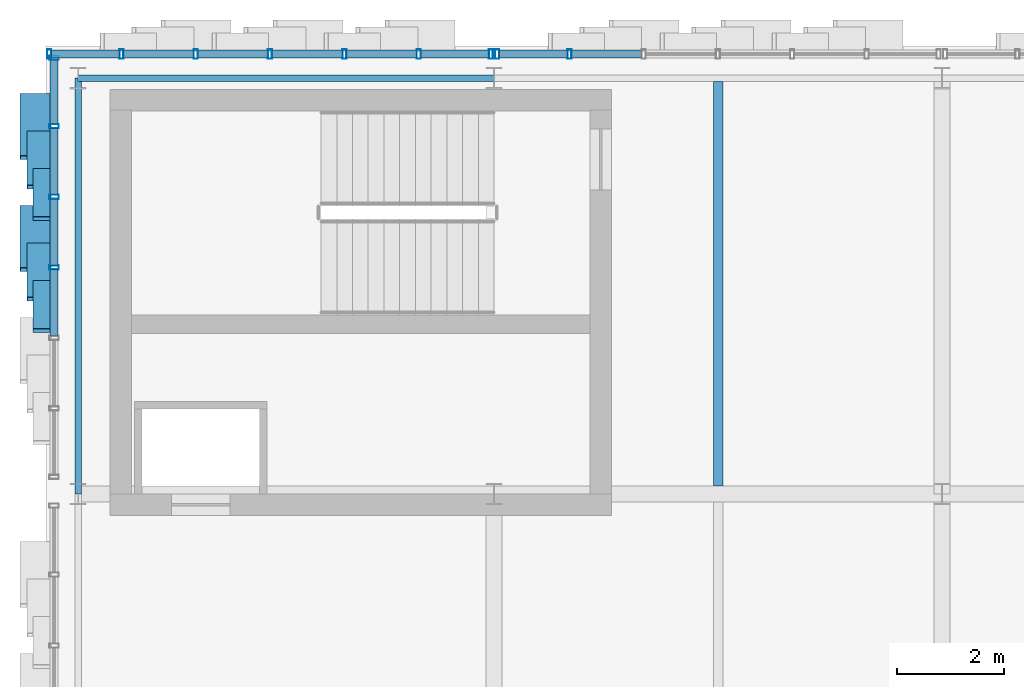
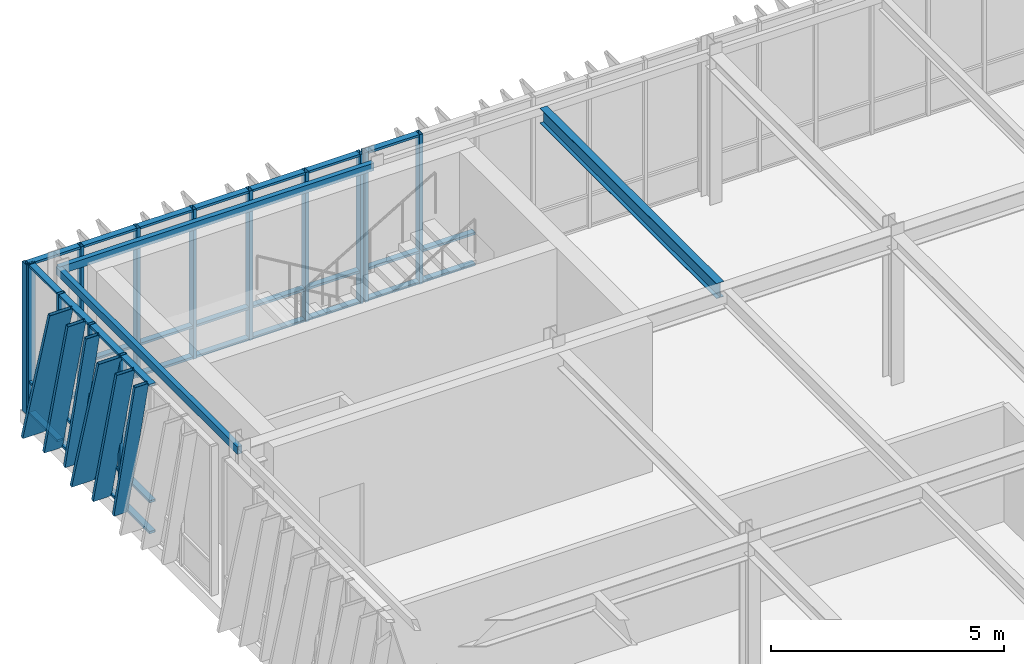
# One storey, part 44 of 127: 54 members, 3 beams, 3 elements without a shape of their own.
"""IFC4 building model written with IfcOpenShell, lengths in metres."""

from ifc_helpers import new_model, si_unit, direction, frame, origin, origin_2d, place, context, subcontext, project, spatial, hollow_rectangle, i_section, extrude, material, layer, layer_set, material_profile, profile_set, type_object, element, aggregate, save


model = new_model("IFC4")

# Units and contexts
model_context = context("Model", 3, precision=1e-05, world=origin(), true_north=direction((0.0, 1.0)))
body_context = subcontext(model_context, "Body", "Model", "MODEL_VIEW")
ifc_project = project(units=[si_unit("LENGTHUNIT", "METRE"), si_unit("AREAUNIT", "SQUARE_METRE"), si_unit("VOLUMEUNIT", "CUBIC_METRE"), si_unit("PLANEANGLEUNIT", "RADIAN"), si_unit("MASSUNIT", "GRAM", prefix="KILO")], contexts=[model_context])

# Site, building, storey
site_placement = place(None, origin())
site = spatial("IfcSite", under=ifc_project, at=site_placement, CompositionType="ELEMENT")
building_placement = place(site_placement, origin())
building = spatial("IfcBuilding", under=site, at=building_placement, Name="Zayran Congress Hotel", CompositionType="ELEMENT")
storey_placement = place(building_placement, frame((0.0, 0.0, 10.800048828125)))
storey = spatial("IfcBuildingStorey", under=building, at=storey_placement, Name="L02", CompositionType="ELEMENT", Elevation=10.800048828125)

# Beams
ifc_material_1 = material(Name="Steel S355", Category="steel")
ifc_material_profile_1 = material_profile(ifc_material_1, i_section(OverallWidth=0.179931640625, OverallDepth=0.39990234375, WebThickness=0.008544921875, FlangeThickness=0.013427734375, at=origin_2d()), Name="IPE 400")
ifc_profile_set_1 = profile_set([ifc_material_profile_1], Name="Steel S355")
beam_type_1 = type_object("IfcBeamType", Name="TP-JS-03", PredefinedType="JOIST", material=ifc_profile_set_1)
beam_1_placement = place(storey_placement, frame((21.0, 109.75, 3.719970703125), z_axis=(0.0, 1.0, 0.0), x_axis=(-1.0, 0.0, 0.0)))
element("IfcBeam", 1, at=beam_1_placement, inside=storey, type_object=beam_type_1, Name="JST-V1-L02-0764", PredefinedType="JOIST", context=body_context, shape_type="SweptSolid", body=[
    extrude(i_section(OverallWidth=0.179931640625, OverallDepth=0.39990234375, WebThickness=0.008544921875, FlangeThickness=0.013427734375, at=origin_2d()), origin(), (0.0, 0.0, 1.0), 7.590087890625),
])
ifc_material_profile_2 = material_profile(ifc_material_1, hollow_rectangle(XDim=0.1201171875, YDim=0.199951171875, WallThickness=0.008056640625, at=origin_2d()), Name="RHS 200x120x8")
ifc_profile_set_2 = profile_set([ifc_material_profile_2], Name="Steel S355")
beam_type_2 = type_object("IfcBeamType", Name="TP-SP-02", PredefinedType="SPANDREL", material=ifc_profile_set_2)
beam_2_placement = place(storey_placement, frame((9.0, 117.39990234375, 3.820068359375), z_axis=(1.0, 0.0, 0.0), x_axis=(0.0, 1.0, 0.0)))
element("IfcBeam", 2, at=beam_2_placement, inside=storey, type_object=beam_type_2, Name="BM-V1-L02-0700", PredefinedType="SPANDREL", context=body_context, shape_type="SweptSolid", body=[
    extrude(hollow_rectangle(XDim=0.1201171875, YDim=0.199951171875, WallThickness=0.008056640625, at=origin_2d()), origin(), (0.0, 0.0, 1.0), 7.800048828125),
])
beam_3_placement = place(storey_placement, frame((9.0, 109.60009765625, 3.820068359375), z_axis=(0.0, 1.0, 0.0), x_axis=(-1.0, 0.0, 0.0)))
element("IfcBeam", 3, at=beam_3_placement, inside=storey, type_object=beam_type_2, Name="BM-V1-L02-0715", PredefinedType="SPANDREL", context=body_context, shape_type="SweptSolid", body=[
    extrude(hollow_rectangle(XDim=0.1201171875, YDim=0.199951171875, WallThickness=0.008056640625, at=origin_2d()), origin(), (0.0, 0.0, 1.0), 7.7998046875),
])

# Curtain wall, members
ifc_material_2 = material(Name="Anodised aluminium and low-E insulated glass", Category="aluminium")
ifc_layer_1 = layer(ifc_material_2, 0.179931640625)
ifc_layer_set_1 = layer_set([ifc_layer_1], Name="Anodised aluminium and low-E insulated glass")
curtain_wall_type_1 = type_object("IfcCurtainWallType", Name="CW-V1N-L02-CW-21-8360-3920", PredefinedType="USERDEFINED", material=ifc_layer_set_1)
curtain_wall_1_placement = place(storey_placement, origin())
curtain_wall_1 = element("IfcCurtainWall", 4, at=curtain_wall_1_placement, inside=storey, type_object=curtain_wall_type_1, Name="CW-V1N-L02-0", ObjectType="CURTAIN WALL", PredefinedType="USERDEFINED")
ifc_material_3 = material(Name="Anodised aluminium framing", Category="aluminium")
ifc_material_profile_3 = material_profile(ifc_material_3, hollow_rectangle(XDim=0.080078125, YDim=0.179931640625, WallThickness=0.0048828125, at=origin_2d()), Name="RHS 180x80x5")
ifc_profile_set_3 = profile_set([ifc_material_profile_3], Name="Anodised aluminium framing")
member_type_1 = type_object("IfcMemberType", Name="TP-CWM-01", PredefinedType="MULLION", material=ifc_profile_set_3)
member_1_placement = place(storey_placement, frame((16.739990234375, 117.85009765625, 0.0), z_axis=(0.0, 0.0, 1.0), x_axis=(1.0, 0.0, 0.0)))
member_1 = element("IfcMember", 5, at=member_1_placement, type_object=member_type_1, Name="CW-V1N-L02-0-M00", PredefinedType="MULLION", context=body_context, shape_type="SweptSolid", body=[
    extrude(hollow_rectangle(XDim=0.080078125, YDim=0.179931640625, WallThickness=0.0048828125, at=origin_2d()), origin(), (0.0, 0.0, 1.0), 3.919921875),
])
member_2_placement = place(storey_placement, frame((15.38671875, 117.85009765625, 0.0), z_axis=(0.0, 0.0, 1.0), x_axis=(1.0, 0.0, 0.0)))
member_2 = element("IfcMember", 6, at=member_2_placement, type_object=member_type_1, Name="CW-V1N-L02-0-M01", PredefinedType="MULLION", context=body_context, shape_type="SweptSolid", body=[
    extrude(hollow_rectangle(XDim=0.080078125, YDim=0.179931640625, WallThickness=0.0048828125, at=origin_2d()), origin(), (0.0, 0.0, 1.0), 3.919921875),
])
member_3_placement = place(storey_placement, frame((13.993408203125, 117.85009765625, 0.0), z_axis=(0.0, 0.0, 1.0), x_axis=(1.0, 0.0, 0.0)))
member_3 = element("IfcMember", 7, at=member_3_placement, type_object=member_type_1, Name="CW-V1N-L02-0-M02", PredefinedType="MULLION", context=body_context, shape_type="SweptSolid", body=[
    extrude(hollow_rectangle(XDim=0.080078125, YDim=0.179931640625, WallThickness=0.0048828125, at=origin_2d()), origin(), (0.0, 0.0, 1.0), 3.919921875),
])
member_4_placement = place(storey_placement, frame((12.60009765625, 117.85009765625, 0.0), z_axis=(0.0, 0.0, 1.0), x_axis=(1.0, 0.0, 0.0)))
member_4 = element("IfcMember", 8, at=member_4_placement, type_object=member_type_1, Name="CW-V1N-L02-0-M03", PredefinedType="MULLION", context=body_context, shape_type="SweptSolid", body=[
    extrude(hollow_rectangle(XDim=0.080078125, YDim=0.179931640625, WallThickness=0.0048828125, at=origin_2d()), origin(), (0.0, 0.0, 1.0), 3.919921875),
])
member_5_placement = place(storey_placement, frame((11.206787109375, 117.85009765625, 0.0), z_axis=(0.0, 0.0, 1.0), x_axis=(1.0, 0.0, 0.0)))
member_5 = element("IfcMember", 9, at=member_5_placement, type_object=member_type_1, Name="CW-V1N-L02-0-M04", PredefinedType="MULLION", context=body_context, shape_type="SweptSolid", body=[
    extrude(hollow_rectangle(XDim=0.080078125, YDim=0.179931640625, WallThickness=0.0048828125, at=origin_2d()), origin(), (0.0, 0.0, 1.0), 3.919921875),
])
member_6_placement = place(storey_placement, frame((9.813232421875, 117.85009765625, 0.0), z_axis=(0.0, 0.0, 1.0), x_axis=(1.0, 0.0, 0.0)))
member_6 = element("IfcMember", 10, at=member_6_placement, type_object=member_type_1, Name="CW-V1N-L02-0-M05", PredefinedType="MULLION", context=body_context, shape_type="SweptSolid", body=[
    extrude(hollow_rectangle(XDim=0.080078125, YDim=0.179931640625, WallThickness=0.0048828125, at=origin_2d()), origin(), (0.0, 0.0, 1.0), 3.919921875),
])
member_7_placement = place(storey_placement, frame((8.4599609375, 117.85009765625, 0.0), z_axis=(0.0, 0.0, 1.0), x_axis=(1.0, 0.0, 0.0)))
member_7 = element("IfcMember", 11, at=member_7_placement, type_object=member_type_1, Name="CW-V1N-L02-0-M06", PredefinedType="MULLION", context=body_context, shape_type="SweptSolid", body=[
    extrude(hollow_rectangle(XDim=0.080078125, YDim=0.179931640625, WallThickness=0.0048828125, at=origin_2d()), origin(), (0.0, 0.0, 1.0), 3.919921875),
])

ifc_layer_2 = layer(ifc_material_2, 0.179931640625)
ifc_layer_set_2 = layer_set([ifc_layer_2], Name="Anodised aluminium and low-E insulated glass")
curtain_wall_type_2 = type_object("IfcCurtainWallType", Name="CW-V1N-L02-CW-22-8360-3920", PredefinedType="USERDEFINED", material=ifc_layer_set_2)
curtain_wall_2_placement = place(storey_placement, origin())
curtain_wall_2 = element("IfcCurtainWall", 12, at=curtain_wall_2_placement, inside=storey, type_object=curtain_wall_type_2, Name="CW-V1N-L02-1", ObjectType="CURTAIN WALL", PredefinedType="USERDEFINED")
member_8_placement = place(storey_placement, frame((18.21337890625, 117.85009765625, 0.0), z_axis=(0.0, 0.0, 1.0), x_axis=(1.0, 0.0, 0.0)))
member_8 = element("IfcMember", 13, at=member_8_placement, type_object=member_type_1, Name="CW-V1N-L02-1-M05", PredefinedType="MULLION", context=body_context, shape_type="SweptSolid", body=[
    extrude(hollow_rectangle(XDim=0.080078125, YDim=0.179931640625, WallThickness=0.0048828125, at=origin_2d()), origin(), (0.0, 0.0, 1.0), 3.919921875),
])
member_9_placement = place(storey_placement, frame((16.860107421875, 117.85009765625, 0.0), z_axis=(0.0, 0.0, 1.0), x_axis=(1.0, 0.0, 0.0)))
member_9 = element("IfcMember", 14, at=member_9_placement, type_object=member_type_1, Name="CW-V1N-L02-1-M06", PredefinedType="MULLION", context=body_context, shape_type="SweptSolid", body=[
    extrude(hollow_rectangle(XDim=0.080078125, YDim=0.179931640625, WallThickness=0.0048828125, at=origin_2d()), origin(), (0.0, 0.0, 1.0), 3.919921875),
])

ifc_layer_3 = layer(ifc_material_2, 0.179931640625)
ifc_layer_set_3 = layer_set([ifc_layer_3], Name="Anodised aluminium and low-E insulated glass")
curtain_wall_type_3 = type_object("IfcCurtainWallType", Name="CW-V1W-L02-CW-32-7940-3920", PredefinedType="USERDEFINED", material=ifc_layer_set_3)
curtain_wall_3_placement = place(storey_placement, origin())
curtain_wall_3 = element("IfcCurtainWall", 15, at=curtain_wall_3_placement, inside=storey, type_object=curtain_wall_type_3, Name="CW-V1W-L02-5", ObjectType="CURTAIN WALL", PredefinedType="USERDEFINED")
member_10_placement = place(storey_placement, frame((8.550048828125, 117.780029296875, 0.0), z_axis=(0.0, 0.0, 1.0), x_axis=(0.0, 1.0, 0.0)))
member_10 = element("IfcMember", 16, at=member_10_placement, type_object=member_type_1, Name="CW-V1W-L02-5-M00", PredefinedType="MULLION", context=body_context, shape_type="SweptSolid", body=[
    extrude(hollow_rectangle(XDim=0.080078125, YDim=0.179931640625, WallThickness=0.0048828125, at=origin_2d()), origin(), (0.0, 0.0, 1.0), 3.919921875),
])
member_11_placement = place(storey_placement, frame((8.550048828125, 116.49658203125, 0.0), z_axis=(0.0, 0.0, 1.0), x_axis=(0.0, 1.0, 0.0)))
member_11 = element("IfcMember", 17, at=member_11_placement, type_object=member_type_1, Name="CW-V1W-L02-5-M01", PredefinedType="MULLION", context=body_context, shape_type="SweptSolid", body=[
    extrude(hollow_rectangle(XDim=0.080078125, YDim=0.179931640625, WallThickness=0.0048828125, at=origin_2d()), origin(), (0.0, 0.0, 1.0), 3.919921875),
])
member_12_placement = place(storey_placement, frame((8.550048828125, 115.17333984375, 0.0), z_axis=(0.0, 0.0, 1.0), x_axis=(0.0, 1.0, 0.0)))
member_12 = element("IfcMember", 18, at=member_12_placement, type_object=member_type_1, Name="CW-V1W-L02-5-M02", PredefinedType="MULLION", context=body_context, shape_type="SweptSolid", body=[
    extrude(hollow_rectangle(XDim=0.080078125, YDim=0.179931640625, WallThickness=0.0048828125, at=origin_2d()), origin(), (0.0, 0.0, 1.0), 3.919921875),
])
member_13_placement = place(storey_placement, frame((8.550048828125, 113.85009765625, 0.0), z_axis=(0.0, 0.0, 1.0), x_axis=(0.0, 1.0, 0.0)))
member_13 = element("IfcMember", 19, at=member_13_placement, type_object=member_type_1, Name="CW-V1W-L02-5-M03", PredefinedType="MULLION", context=body_context, shape_type="SweptSolid", body=[
    extrude(hollow_rectangle(XDim=0.080078125, YDim=0.179931640625, WallThickness=0.0048828125, at=origin_2d()), origin(), (0.0, 0.0, 1.0), 3.919921875),
])

# Member
ifc_material_profile_4 = material_profile(ifc_material_3, hollow_rectangle(XDim=0.06005859375, YDim=0.14990234375, WallThickness=0.00390625, at=origin_2d()), Name="RHS 150x60x4")
ifc_profile_set_4 = profile_set([ifc_material_profile_4], Name="Anodised aluminium framing")
member_type_2 = type_object("IfcMemberType", Name="TP-CWT-01", PredefinedType="USERDEFINED", material=ifc_profile_set_4)
member_14_placement = place(storey_placement, frame((16.699951171875, 117.85009765625, 0.030029296875), z_axis=(-1.0, 0.0, 0.0), x_axis=(0.0, 0.0, 1.0)))
member_14 = element("IfcMember", 20, at=member_14_placement, type_object=member_type_2, Name="CW-V1N-L02-0-T00-0", ObjectType="TRANSOM", PredefinedType="USERDEFINED", context=body_context, shape_type="SweptSolid", body=[
    extrude(hollow_rectangle(XDim=0.06005859375, YDim=0.14990234375, WallThickness=0.00390625, at=origin_2d()), origin(), (0.0, 0.0, 1.0), 1.273193359375),
])

member_15_placement = place(storey_placement, frame((16.699951171875, 117.85009765625, 0.83984375), z_axis=(-1.0, 0.0, 0.0), x_axis=(0.0, 0.0, 1.0)))
member_15 = element("IfcMember", 21, at=member_15_placement, type_object=member_type_2, Name="CW-V1N-L02-0-T00-1", ObjectType="TRANSOM", PredefinedType="USERDEFINED", context=body_context, shape_type="SweptSolid", body=[
    extrude(hollow_rectangle(XDim=0.06005859375, YDim=0.14990234375, WallThickness=0.00390625, at=origin_2d()), origin(), (0.0, 0.0, 1.0), 1.273193359375),
])

member_16_placement = place(storey_placement, frame((16.699951171875, 117.85009765625, 3.889892578125), z_axis=(-1.0, 0.0, 0.0), x_axis=(0.0, 0.0, 1.0)))
member_16 = element("IfcMember", 22, at=member_16_placement, type_object=member_type_2, Name="CW-V1N-L02-0-T00-2", ObjectType="TRANSOM", PredefinedType="USERDEFINED", context=body_context, shape_type="SweptSolid", body=[
    extrude(hollow_rectangle(XDim=0.06005859375, YDim=0.14990234375, WallThickness=0.00390625, at=origin_2d()), origin(), (0.0, 0.0, 1.0), 1.273193359375),
])

member_17_placement = place(storey_placement, frame((15.3466796875, 117.85009765625, 0.030029296875), z_axis=(-1.0, 0.0, 0.0), x_axis=(0.0, 0.0, 1.0)))
member_17 = element("IfcMember", 23, at=member_17_placement, type_object=member_type_2, Name="CW-V1N-L02-0-T01-0", ObjectType="TRANSOM", PredefinedType="USERDEFINED", context=body_context, shape_type="SweptSolid", body=[
    extrude(hollow_rectangle(XDim=0.06005859375, YDim=0.14990234375, WallThickness=0.00390625, at=origin_2d()), origin(), (0.0, 0.0, 1.0), 1.3134765625),
])

member_18_placement = place(storey_placement, frame((15.3466796875, 117.85009765625, 0.83984375), z_axis=(-1.0, 0.0, 0.0), x_axis=(0.0, 0.0, 1.0)))
member_18 = element("IfcMember", 24, at=member_18_placement, type_object=member_type_2, Name="CW-V1N-L02-0-T01-1", ObjectType="TRANSOM", PredefinedType="USERDEFINED", context=body_context, shape_type="SweptSolid", body=[
    extrude(hollow_rectangle(XDim=0.06005859375, YDim=0.14990234375, WallThickness=0.00390625, at=origin_2d()), origin(), (0.0, 0.0, 1.0), 1.3134765625),
])

member_19_placement = place(storey_placement, frame((15.3466796875, 117.85009765625, 3.889892578125), z_axis=(-1.0, 0.0, 0.0), x_axis=(0.0, 0.0, 1.0)))
member_19 = element("IfcMember", 25, at=member_19_placement, type_object=member_type_2, Name="CW-V1N-L02-0-T01-2", ObjectType="TRANSOM", PredefinedType="USERDEFINED", context=body_context, shape_type="SweptSolid", body=[
    extrude(hollow_rectangle(XDim=0.06005859375, YDim=0.14990234375, WallThickness=0.00390625, at=origin_2d()), origin(), (0.0, 0.0, 1.0), 1.3134765625),
])

member_20_placement = place(storey_placement, frame((13.953369140625, 117.85009765625, 0.030029296875), z_axis=(-1.0, 0.0, 0.0), x_axis=(0.0, 0.0, 1.0)))
member_20 = element("IfcMember", 26, at=member_20_placement, type_object=member_type_2, Name="CW-V1N-L02-0-T02-0", ObjectType="TRANSOM", PredefinedType="USERDEFINED", context=body_context, shape_type="SweptSolid", body=[
    extrude(hollow_rectangle(XDim=0.06005859375, YDim=0.14990234375, WallThickness=0.00390625, at=origin_2d()), origin(), (0.0, 0.0, 1.0), 1.3134765625),
])

member_21_placement = place(storey_placement, frame((13.953369140625, 117.85009765625, 0.83984375), z_axis=(-1.0, 0.0, 0.0), x_axis=(0.0, 0.0, 1.0)))
member_21 = element("IfcMember", 27, at=member_21_placement, type_object=member_type_2, Name="CW-V1N-L02-0-T02-1", ObjectType="TRANSOM", PredefinedType="USERDEFINED", context=body_context, shape_type="SweptSolid", body=[
    extrude(hollow_rectangle(XDim=0.06005859375, YDim=0.14990234375, WallThickness=0.00390625, at=origin_2d()), origin(), (0.0, 0.0, 1.0), 1.3134765625),
])

member_22_placement = place(storey_placement, frame((13.953369140625, 117.85009765625, 3.889892578125), z_axis=(-1.0, 0.0, 0.0), x_axis=(0.0, 0.0, 1.0)))
member_22 = element("IfcMember", 28, at=member_22_placement, type_object=member_type_2, Name="CW-V1N-L02-0-T02-2", ObjectType="TRANSOM", PredefinedType="USERDEFINED", context=body_context, shape_type="SweptSolid", body=[
    extrude(hollow_rectangle(XDim=0.06005859375, YDim=0.14990234375, WallThickness=0.00390625, at=origin_2d()), origin(), (0.0, 0.0, 1.0), 1.3134765625),
])

member_23_placement = place(storey_placement, frame((12.56005859375, 117.85009765625, 0.030029296875), z_axis=(-1.0, 0.0, 0.0), x_axis=(0.0, 0.0, 1.0)))
member_23 = element("IfcMember", 29, at=member_23_placement, type_object=member_type_2, Name="CW-V1N-L02-0-T03-0", ObjectType="TRANSOM", PredefinedType="USERDEFINED", context=body_context, shape_type="SweptSolid", body=[
    extrude(hollow_rectangle(XDim=0.06005859375, YDim=0.14990234375, WallThickness=0.00390625, at=origin_2d()), origin(), (0.0, 0.0, 1.0), 1.3134765625),
])

member_24_placement = place(storey_placement, frame((12.56005859375, 117.85009765625, 0.83984375), z_axis=(-1.0, 0.0, 0.0), x_axis=(0.0, 0.0, 1.0)))
member_24 = element("IfcMember", 30, at=member_24_placement, type_object=member_type_2, Name="CW-V1N-L02-0-T03-1", ObjectType="TRANSOM", PredefinedType="USERDEFINED", context=body_context, shape_type="SweptSolid", body=[
    extrude(hollow_rectangle(XDim=0.06005859375, YDim=0.14990234375, WallThickness=0.00390625, at=origin_2d()), origin(), (0.0, 0.0, 1.0), 1.3134765625),
])

member_25_placement = place(storey_placement, frame((12.56005859375, 117.85009765625, 3.889892578125), z_axis=(-1.0, 0.0, 0.0), x_axis=(0.0, 0.0, 1.0)))
member_25 = element("IfcMember", 31, at=member_25_placement, type_object=member_type_2, Name="CW-V1N-L02-0-T03-2", ObjectType="TRANSOM", PredefinedType="USERDEFINED", context=body_context, shape_type="SweptSolid", body=[
    extrude(hollow_rectangle(XDim=0.06005859375, YDim=0.14990234375, WallThickness=0.00390625, at=origin_2d()), origin(), (0.0, 0.0, 1.0), 1.3134765625),
])

member_26_placement = place(storey_placement, frame((11.166748046875, 117.85009765625, 0.030029296875), z_axis=(-1.0, 0.0, 0.0), x_axis=(0.0, 0.0, 1.0)))
member_26 = element("IfcMember", 32, at=member_26_placement, type_object=member_type_2, Name="CW-V1N-L02-0-T04-0", ObjectType="TRANSOM", PredefinedType="USERDEFINED", context=body_context, shape_type="SweptSolid", body=[
    extrude(hollow_rectangle(XDim=0.06005859375, YDim=0.14990234375, WallThickness=0.00390625, at=origin_2d()), origin(), (0.0, 0.0, 1.0), 1.3134765625),
])

member_27_placement = place(storey_placement, frame((11.166748046875, 117.85009765625, 0.83984375), z_axis=(-1.0, 0.0, 0.0), x_axis=(0.0, 0.0, 1.0)))
member_27 = element("IfcMember", 33, at=member_27_placement, type_object=member_type_2, Name="CW-V1N-L02-0-T04-1", ObjectType="TRANSOM", PredefinedType="USERDEFINED", context=body_context, shape_type="SweptSolid", body=[
    extrude(hollow_rectangle(XDim=0.06005859375, YDim=0.14990234375, WallThickness=0.00390625, at=origin_2d()), origin(), (0.0, 0.0, 1.0), 1.3134765625),
])

member_28_placement = place(storey_placement, frame((11.166748046875, 117.85009765625, 3.889892578125), z_axis=(-1.0, 0.0, 0.0), x_axis=(0.0, 0.0, 1.0)))
member_28 = element("IfcMember", 34, at=member_28_placement, type_object=member_type_2, Name="CW-V1N-L02-0-T04-2", ObjectType="TRANSOM", PredefinedType="USERDEFINED", context=body_context, shape_type="SweptSolid", body=[
    extrude(hollow_rectangle(XDim=0.06005859375, YDim=0.14990234375, WallThickness=0.00390625, at=origin_2d()), origin(), (0.0, 0.0, 1.0), 1.3134765625),
])

member_29_placement = place(storey_placement, frame((9.773193359375, 117.85009765625, 0.030029296875), z_axis=(-1.0, 0.0, 0.0), x_axis=(0.0, 0.0, 1.0)))
member_29 = element("IfcMember", 35, at=member_29_placement, type_object=member_type_2, Name="CW-V1N-L02-0-T05-0", ObjectType="TRANSOM", PredefinedType="USERDEFINED", context=body_context, shape_type="SweptSolid", body=[
    extrude(hollow_rectangle(XDim=0.06005859375, YDim=0.14990234375, WallThickness=0.00390625, at=origin_2d()), origin(), (0.0, 0.0, 1.0), 1.273193359375),
])

member_30_placement = place(storey_placement, frame((9.773193359375, 117.85009765625, 0.83984375), z_axis=(-1.0, 0.0, 0.0), x_axis=(0.0, 0.0, 1.0)))
member_30 = element("IfcMember", 36, at=member_30_placement, type_object=member_type_2, Name="CW-V1N-L02-0-T05-1", ObjectType="TRANSOM", PredefinedType="USERDEFINED", context=body_context, shape_type="SweptSolid", body=[
    extrude(hollow_rectangle(XDim=0.06005859375, YDim=0.14990234375, WallThickness=0.00390625, at=origin_2d()), origin(), (0.0, 0.0, 1.0), 1.273193359375),
])

member_31_placement = place(storey_placement, frame((9.773193359375, 117.85009765625, 3.889892578125), z_axis=(-1.0, 0.0, 0.0), x_axis=(0.0, 0.0, 1.0)))
member_31 = element("IfcMember", 37, at=member_31_placement, type_object=member_type_2, Name="CW-V1N-L02-0-T05-2", ObjectType="TRANSOM", PredefinedType="USERDEFINED", context=body_context, shape_type="SweptSolid", body=[
    extrude(hollow_rectangle(XDim=0.06005859375, YDim=0.14990234375, WallThickness=0.00390625, at=origin_2d()), origin(), (0.0, 0.0, 1.0), 1.273193359375),
])

aggregate(curtain_wall_1, [member_1, member_2, member_3, member_4, member_5, member_6, member_7, member_14, member_15, member_16, member_17, member_18, member_19, member_20, member_21, member_22, member_23, member_24, member_25, member_26, member_27, member_28, member_29, member_30, member_31])

member_32_placement = place(storey_placement, frame((19.566650390625, 117.85009765625, 0.030029296875), z_axis=(-1.0, 0.0, 0.0), x_axis=(0.0, 0.0, 1.0)))
member_32 = element("IfcMember", 38, at=member_32_placement, type_object=member_type_2, Name="CW-V1N-L02-1-T04-0", ObjectType="TRANSOM", PredefinedType="USERDEFINED", context=body_context, shape_type="SweptSolid", body=[
    extrude(hollow_rectangle(XDim=0.06005859375, YDim=0.14990234375, WallThickness=0.00390625, at=origin_2d()), origin(), (0.0, 0.0, 1.0), 1.313232421875),
])

member_33_placement = place(storey_placement, frame((19.566650390625, 117.85009765625, 0.83984375), z_axis=(-1.0, 0.0, 0.0), x_axis=(0.0, 0.0, 1.0)))
member_33 = element("IfcMember", 39, at=member_33_placement, type_object=member_type_2, Name="CW-V1N-L02-1-T04-1", ObjectType="TRANSOM", PredefinedType="USERDEFINED", context=body_context, shape_type="SweptSolid", body=[
    extrude(hollow_rectangle(XDim=0.06005859375, YDim=0.14990234375, WallThickness=0.00390625, at=origin_2d()), origin(), (0.0, 0.0, 1.0), 1.313232421875),
])

member_34_placement = place(storey_placement, frame((18.17333984375, 117.85009765625, 0.030029296875), z_axis=(-1.0, 0.0, 0.0), x_axis=(0.0, 0.0, 1.0)))
member_34 = element("IfcMember", 40, at=member_34_placement, type_object=member_type_2, Name="CW-V1N-L02-1-T05-0", ObjectType="TRANSOM", PredefinedType="USERDEFINED", context=body_context, shape_type="SweptSolid", body=[
    extrude(hollow_rectangle(XDim=0.06005859375, YDim=0.14990234375, WallThickness=0.00390625, at=origin_2d()), origin(), (0.0, 0.0, 1.0), 1.2734375),
])

member_35_placement = place(storey_placement, frame((18.17333984375, 117.85009765625, 0.83984375), z_axis=(-1.0, 0.0, 0.0), x_axis=(0.0, 0.0, 1.0)))
member_35 = element("IfcMember", 41, at=member_35_placement, type_object=member_type_2, Name="CW-V1N-L02-1-T05-1", ObjectType="TRANSOM", PredefinedType="USERDEFINED", context=body_context, shape_type="SweptSolid", body=[
    extrude(hollow_rectangle(XDim=0.06005859375, YDim=0.14990234375, WallThickness=0.00390625, at=origin_2d()), origin(), (0.0, 0.0, 1.0), 1.2734375),
])

member_36_placement = place(storey_placement, frame((18.17333984375, 117.85009765625, 3.889892578125), z_axis=(-1.0, 0.0, 0.0), x_axis=(0.0, 0.0, 1.0)))
member_36 = element("IfcMember", 42, at=member_36_placement, type_object=member_type_2, Name="CW-V1N-L02-1-T05-2", ObjectType="TRANSOM", PredefinedType="USERDEFINED", context=body_context, shape_type="SweptSolid", body=[
    extrude(hollow_rectangle(XDim=0.06005859375, YDim=0.14990234375, WallThickness=0.00390625, at=origin_2d()), origin(), (0.0, 0.0, 1.0), 1.2734375),
])

aggregate(curtain_wall_2, [member_8, member_9, member_32, member_33, member_34, member_35, member_36])

member_37_placement = place(storey_placement, frame((8.550048828125, 117.739990234375, 0.030029296875), z_axis=(0.0, -1.0, 0.0), x_axis=(0.0, 0.0, 1.0)))
member_37 = element("IfcMember", 43, at=member_37_placement, type_object=member_type_2, Name="CW-V1W-L02-5-T00-0", ObjectType="TRANSOM", PredefinedType="USERDEFINED", context=body_context, shape_type="SweptSolid", body=[
    extrude(hollow_rectangle(XDim=0.06005859375, YDim=0.14990234375, WallThickness=0.00390625, at=origin_2d()), origin(), (0.0, 0.0, 1.0), 1.203369140625),
])

member_38_placement = place(storey_placement, frame((8.550048828125, 117.739990234375, 0.83984375), z_axis=(0.0, -1.0, 0.0), x_axis=(0.0, 0.0, 1.0)))
member_38 = element("IfcMember", 44, at=member_38_placement, type_object=member_type_2, Name="CW-V1W-L02-5-T00-1", ObjectType="TRANSOM", PredefinedType="USERDEFINED", context=body_context, shape_type="SweptSolid", body=[
    extrude(hollow_rectangle(XDim=0.06005859375, YDim=0.14990234375, WallThickness=0.00390625, at=origin_2d()), origin(), (0.0, 0.0, 1.0), 1.203369140625),
])

member_39_placement = place(storey_placement, frame((8.550048828125, 117.739990234375, 3.889892578125), z_axis=(0.0, -1.0, 0.0), x_axis=(0.0, 0.0, 1.0)))
member_39 = element("IfcMember", 45, at=member_39_placement, type_object=member_type_2, Name="CW-V1W-L02-5-T00-2", ObjectType="TRANSOM", PredefinedType="USERDEFINED", context=body_context, shape_type="SweptSolid", body=[
    extrude(hollow_rectangle(XDim=0.06005859375, YDim=0.14990234375, WallThickness=0.00390625, at=origin_2d()), origin(), (0.0, 0.0, 1.0), 1.203369140625),
])

member_40_placement = place(storey_placement, frame((8.550048828125, 116.456787109375, 0.030029296875), z_axis=(0.0, -1.0, 0.0), x_axis=(0.0, 0.0, 1.0)))
member_40 = element("IfcMember", 46, at=member_40_placement, type_object=member_type_2, Name="CW-V1W-L02-5-T01-0", ObjectType="TRANSOM", PredefinedType="USERDEFINED", context=body_context, shape_type="SweptSolid", body=[
    extrude(hollow_rectangle(XDim=0.06005859375, YDim=0.14990234375, WallThickness=0.00390625, at=origin_2d()), origin(), (0.0, 0.0, 1.0), 1.243408203125),
])

member_41_placement = place(storey_placement, frame((8.550048828125, 116.456787109375, 0.83984375), z_axis=(0.0, -1.0, 0.0), x_axis=(0.0, 0.0, 1.0)))
member_41 = element("IfcMember", 47, at=member_41_placement, type_object=member_type_2, Name="CW-V1W-L02-5-T01-1", ObjectType="TRANSOM", PredefinedType="USERDEFINED", context=body_context, shape_type="SweptSolid", body=[
    extrude(hollow_rectangle(XDim=0.06005859375, YDim=0.14990234375, WallThickness=0.00390625, at=origin_2d()), origin(), (0.0, 0.0, 1.0), 1.243408203125),
])

member_42_placement = place(storey_placement, frame((8.550048828125, 116.456787109375, 3.889892578125), z_axis=(0.0, -1.0, 0.0), x_axis=(0.0, 0.0, 1.0)))
member_42 = element("IfcMember", 48, at=member_42_placement, type_object=member_type_2, Name="CW-V1W-L02-5-T01-2", ObjectType="TRANSOM", PredefinedType="USERDEFINED", context=body_context, shape_type="SweptSolid", body=[
    extrude(hollow_rectangle(XDim=0.06005859375, YDim=0.14990234375, WallThickness=0.00390625, at=origin_2d()), origin(), (0.0, 0.0, 1.0), 1.243408203125),
])

member_43_placement = place(storey_placement, frame((8.550048828125, 115.13330078125, 0.030029296875), z_axis=(0.0, -1.0, 0.0), x_axis=(0.0, 0.0, 1.0)))
member_43 = element("IfcMember", 49, at=member_43_placement, type_object=member_type_2, Name="CW-V1W-L02-5-T02-0", ObjectType="TRANSOM", PredefinedType="USERDEFINED", context=body_context, shape_type="SweptSolid", body=[
    extrude(hollow_rectangle(XDim=0.06005859375, YDim=0.14990234375, WallThickness=0.00390625, at=origin_2d()), origin(), (0.0, 0.0, 1.0), 1.243408203125),
])

member_44_placement = place(storey_placement, frame((8.550048828125, 115.13330078125, 0.83984375), z_axis=(0.0, -1.0, 0.0), x_axis=(0.0, 0.0, 1.0)))
member_44 = element("IfcMember", 50, at=member_44_placement, type_object=member_type_2, Name="CW-V1W-L02-5-T02-1", ObjectType="TRANSOM", PredefinedType="USERDEFINED", context=body_context, shape_type="SweptSolid", body=[
    extrude(hollow_rectangle(XDim=0.06005859375, YDim=0.14990234375, WallThickness=0.00390625, at=origin_2d()), origin(), (0.0, 0.0, 1.0), 1.243408203125),
])

member_45_placement = place(storey_placement, frame((8.550048828125, 115.13330078125, 3.889892578125), z_axis=(0.0, -1.0, 0.0), x_axis=(0.0, 0.0, 1.0)))
member_45 = element("IfcMember", 51, at=member_45_placement, type_object=member_type_2, Name="CW-V1W-L02-5-T02-2", ObjectType="TRANSOM", PredefinedType="USERDEFINED", context=body_context, shape_type="SweptSolid", body=[
    extrude(hollow_rectangle(XDim=0.06005859375, YDim=0.14990234375, WallThickness=0.00390625, at=origin_2d()), origin(), (0.0, 0.0, 1.0), 1.243408203125),
])

member_46_placement = place(storey_placement, frame((8.550048828125, 113.81005859375, 0.030029296875), z_axis=(0.0, -1.0, 0.0), x_axis=(0.0, 0.0, 1.0)))
member_46 = element("IfcMember", 52, at=member_46_placement, type_object=member_type_2, Name="CW-V1W-L02-5-T03-0", ObjectType="TRANSOM", PredefinedType="USERDEFINED", context=body_context, shape_type="SweptSolid", body=[
    extrude(hollow_rectangle(XDim=0.06005859375, YDim=0.14990234375, WallThickness=0.00390625, at=origin_2d()), origin(), (0.0, 0.0, 1.0), 1.243408203125),
])

member_47_placement = place(storey_placement, frame((8.550048828125, 113.81005859375, 0.83984375), z_axis=(0.0, -1.0, 0.0), x_axis=(0.0, 0.0, 1.0)))
member_47 = element("IfcMember", 53, at=member_47_placement, type_object=member_type_2, Name="CW-V1W-L02-5-T03-1", ObjectType="TRANSOM", PredefinedType="USERDEFINED", context=body_context, shape_type="SweptSolid", body=[
    extrude(hollow_rectangle(XDim=0.06005859375, YDim=0.14990234375, WallThickness=0.00390625, at=origin_2d()), origin(), (0.0, 0.0, 1.0), 1.243408203125),
])

member_48_placement = place(storey_placement, frame((8.550048828125, 113.81005859375, 3.889892578125), z_axis=(0.0, -1.0, 0.0), x_axis=(0.0, 0.0, 1.0)))
member_48 = element("IfcMember", 54, at=member_48_placement, type_object=member_type_2, Name="CW-V1W-L02-5-T03-2", ObjectType="TRANSOM", PredefinedType="USERDEFINED", context=body_context, shape_type="SweptSolid", body=[
    extrude(hollow_rectangle(XDim=0.06005859375, YDim=0.14990234375, WallThickness=0.00390625, at=origin_2d()), origin(), (0.0, 0.0, 1.0), 1.243408203125),
])

ifc_material_4 = material(Name="Warm bronze anodised aluminium", Category="aluminium")
ifc_material_profile_5 = material_profile(ifc_material_4, hollow_rectangle(XDim=0.080078125, YDim=0.580078125, WallThickness=0.006103515625, at=origin_2d()), Name="RHS 580x80x6")
ifc_profile_set_5 = profile_set([ifc_material_profile_5], Name="Warm bronze anodised aluminium")
member_type_3 = type_object("IfcMemberType", Name="TP-RFN-01", PredefinedType="MULLION", material=ifc_profile_set_5)
member_49_placement = place(storey_placement, frame((8.199951171875, 117.070068359375, 0.0), z_axis=(0.0, -0.284070030724, 0.958803534435), x_axis=(0.0, 0.958803534435, 0.284070030724)))
member_49 = element("IfcMember", 55, at=member_49_placement, type_object=member_type_3, Name="Slanting Reed Mullion CW-32-01", PredefinedType="MULLION", context=body_context, shape_type="SweptSolid", body=[
    extrude(hollow_rectangle(XDim=0.080078125, YDim=0.580078125, WallThickness=0.006103515625, at=origin_2d()), origin(), (0.0, 0.0, 1.0), 4.08837890625),
])

member_50_placement = place(storey_placement, frame((8.199951171875, 114.969970703125, 0.0), z_axis=(0.0, -0.28401513196, 0.958819797886), x_axis=(0.0, 0.958819797886, 0.28401513196)))
member_50 = element("IfcMember", 56, at=member_50_placement, type_object=member_type_3, Name="Slanting Reed Mullion CW-32-04", PredefinedType="MULLION", context=body_context, shape_type="SweptSolid", body=[
    extrude(hollow_rectangle(XDim=0.080078125, YDim=0.580078125, WallThickness=0.006103515625, at=origin_2d()), origin(), (0.0, 0.0, 1.0), 4.08837890625),
])

ifc_material_profile_6 = material_profile(ifc_material_4, hollow_rectangle(XDim=0.080078125, YDim=0.449951171875, WallThickness=0.006103515625, at=origin_2d()), Name="RHS 450x80x6")
ifc_profile_set_6 = profile_set([ifc_material_profile_6], Name="Warm bronze anodised aluminium")
member_type_4 = type_object("IfcMemberType", Name="TP-RFN-02", PredefinedType="MULLION", material=ifc_profile_set_6)
member_51_placement = place(storey_placement, frame((8.264892578125, 116.3701171875, 0.0), z_axis=(0.0, -0.250415952743, 0.968138342703), x_axis=(0.0, 0.968138342703, 0.250415952743)))
member_51 = element("IfcMember", 57, at=member_51_placement, type_object=member_type_4, Name="Slanting Reed Mullion CW-32-02", PredefinedType="MULLION", context=body_context, shape_type="SweptSolid", body=[
    extrude(hollow_rectangle(XDim=0.080078125, YDim=0.449951171875, WallThickness=0.006103515625, at=origin_2d()), origin(), (0.0, 0.0, 1.0), 4.048828125),
])

member_52_placement = place(storey_placement, frame((8.264892578125, 114.27001953125, 0.0), z_axis=(0.0, -0.250415952743, 0.968138342703), x_axis=(0.0, 0.968138342703, 0.250415952743)))
member_52 = element("IfcMember", 58, at=member_52_placement, type_object=member_type_4, Name="Slanting Reed Mullion CW-32-05", PredefinedType="MULLION", context=body_context, shape_type="SweptSolid", body=[
    extrude(hollow_rectangle(XDim=0.080078125, YDim=0.449951171875, WallThickness=0.006103515625, at=origin_2d()), origin(), (0.0, 0.0, 1.0), 4.048828125),
])

ifc_material_profile_7 = material_profile(ifc_material_4, hollow_rectangle(XDim=0.080078125, YDim=0.340087890625, WallThickness=0.006103515625, at=origin_2d()), Name="RHS 340x80x6")
ifc_profile_set_7 = profile_set([ifc_material_profile_7], Name="Warm bronze anodised aluminium")
member_type_5 = type_object("IfcMemberType", Name="TP-RFN-03", PredefinedType="MULLION", material=ifc_profile_set_7)
member_53_placement = place(storey_placement, frame((8.320068359375, 115.669921875, 0.0), z_axis=(0.0, -0.224961443605, 0.974367666177), x_axis=(0.0, 0.974367666177, 0.224961443605)))
member_53 = element("IfcMember", 59, at=member_53_placement, type_object=member_type_5, Name="Slanting Reed Mullion CW-32-03", PredefinedType="MULLION", context=body_context, shape_type="SweptSolid", body=[
    extrude(hollow_rectangle(XDim=0.080078125, YDim=0.340087890625, WallThickness=0.006103515625, at=origin_2d()), origin(), (0.0, 0.0, 1.0), 4.02294921875),
])

member_54_placement = place(storey_placement, frame((8.320068359375, 113.570068359375, 0.0), z_axis=(0.0, -0.224961443605, 0.974367666177), x_axis=(0.0, 0.974367666177, 0.224961443605)))
member_54 = element("IfcMember", 60, at=member_54_placement, type_object=member_type_5, Name="Slanting Reed Mullion CW-32-06", PredefinedType="MULLION", context=body_context, shape_type="SweptSolid", body=[
    extrude(hollow_rectangle(XDim=0.080078125, YDim=0.340087890625, WallThickness=0.006103515625, at=origin_2d()), origin(), (0.0, 0.0, 1.0), 4.02294921875),
])

aggregate(curtain_wall_3, [member_10, member_11, member_12, member_13, member_37, member_38, member_39, member_40, member_41, member_42, member_43, member_44, member_45, member_46, member_47, member_48, member_49, member_51, member_53, member_50, member_52, member_54])

save(model, "model.ifc")
